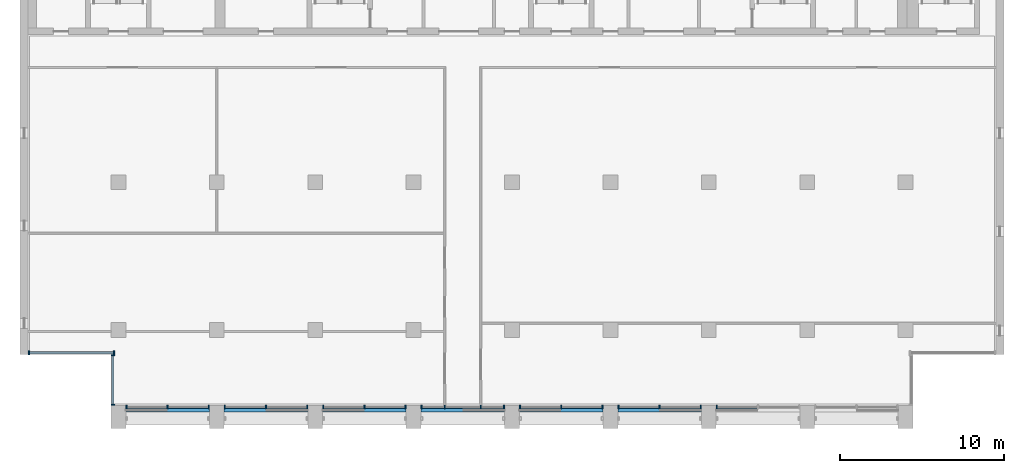
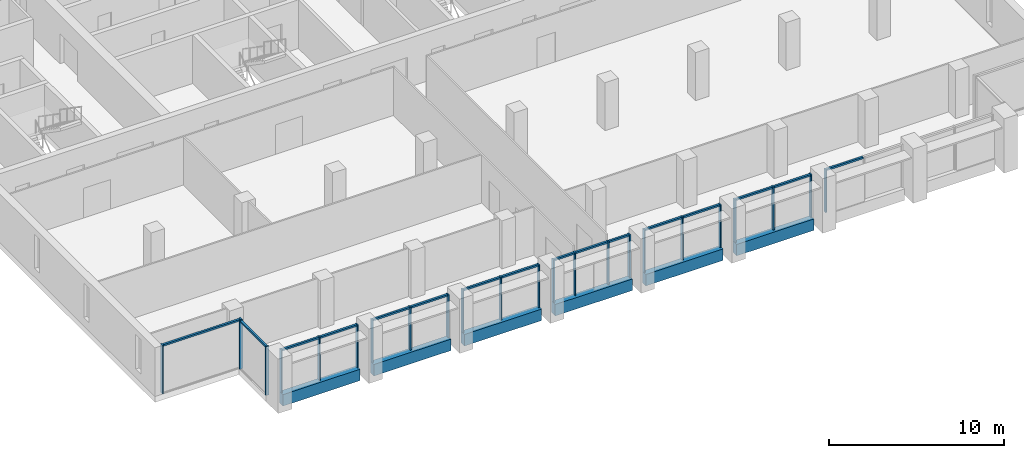
# One storey, part 2 of 14: 40 members, 6 beams, 9 elements without a shape of their own.
"""IFC4 building model written with IfcOpenShell, lengths in metres."""

from ifc_helpers import new_model, si_unit, direction, frame, origin, origin_2d, place, context, subcontext, project, spatial, rectangle, extrude, material, material_profile, profile_set, type_object, element, aggregate, save


model = new_model("IFC4")

# Units and contexts
model_context = context("Model", 3, precision=1e-05, world=origin(), true_north=direction((0.0, 1.0)))
body_context = subcontext(model_context, "Body", "Model", "MODEL_VIEW")
ifc_project = project(units=[si_unit("LENGTHUNIT", "METRE"), si_unit("AREAUNIT", "SQUARE_METRE"), si_unit("VOLUMEUNIT", "CUBIC_METRE"), si_unit("PLANEANGLEUNIT", "RADIAN"), si_unit("MASSUNIT", "GRAM", prefix="KILO")], contexts=[model_context])

# Site, building, storey
site_placement = place(None, origin())
site = spatial("IfcSite", under=ifc_project, at=site_placement, CompositionType="ELEMENT")
building_placement = place(site_placement, origin())
building = spatial("IfcBuilding", under=site, at=building_placement, Name="Calvaro Tower", CompositionType="ELEMENT")
storey_placement = place(building_placement, frame((0.0, 0.0, 239.35009765625)))
storey = spatial("IfcBuildingStorey", under=building, at=storey_placement, Name="L60", CompositionType="ELEMENT", Elevation=239.35009765625)

# Curtain wall, members
ifc_material_1 = material(Name="Anodised aluminium", Category="aluminium")
curtain_wall_type = type_object("IfcCurtainWallType", Name="Executive curtain wall", PredefinedType="NOTDEFINED", material=ifc_material_1)
curtain_wall_1_placement = place(storey_placement, origin())
curtain_wall_1 = element("IfcCurtainWall", 1, at=curtain_wall_1_placement, inside=storey, type_object=curtain_wall_type, Name="CW4 south curtain wall", PredefinedType="NOTDEFINED")
ifc_material_2 = material(Name="Anodised aluminium", Category="aluminium")
ifc_material_profile_1 = material_profile(ifc_material_2, rectangle(XDim=0.219970703125, YDim=0.080078125, at=origin_2d()), Name="Mullion S4 80 x 220")
ifc_profile_set_1 = profile_set([ifc_material_profile_1], Name="Anodised aluminium")
member_type_1 = type_object("IfcMemberType", Name="Mullion S4 80 x 220", PredefinedType="MULLION", material=ifc_profile_set_1)
member_1_placement = place(storey_placement, frame((12.489990234375, 5.2900390625, 0.0), z_axis=(0.0, 0.0, 1.0), x_axis=(0.0, 1.0, 0.0)))
member_1 = element("IfcMember", 2, at=member_1_placement, type_object=member_type_1, Name="CW4 mullion 1", PredefinedType="MULLION", context=body_context, shape_type="SweptSolid", body=[
    extrude(rectangle(XDim=0.219970703125, YDim=0.080078125, at=origin_2d()), origin(), (0.0, 0.0, 1.0), 3.0),
])
member_2_placement = place(storey_placement, frame((15.0, 5.2900390625, 0.0), z_axis=(0.0, 0.0, 1.0), x_axis=(0.0, 1.0, 0.0)))
member_2 = element("IfcMember", 3, at=member_2_placement, type_object=member_type_1, Name="CW4 mullion 2", PredefinedType="MULLION", context=body_context, shape_type="SweptSolid", body=[
    extrude(rectangle(XDim=0.219970703125, YDim=0.080078125, at=origin_2d()), origin(), (0.0, 0.0, 1.0), 3.0),
])
member_3_placement = place(storey_placement, frame((17.510009765625, 5.2900390625, 0.0), z_axis=(0.0, 0.0, 1.0), x_axis=(0.0, 1.0, 0.0)))
member_3 = element("IfcMember", 4, at=member_3_placement, type_object=member_type_1, Name="CW4 mullion 3", PredefinedType="MULLION", context=body_context, shape_type="SweptSolid", body=[
    extrude(rectangle(XDim=0.219970703125, YDim=0.080078125, at=origin_2d()), origin(), (0.0, 0.0, 1.0), 3.0),
])

curtain_wall_2_placement = place(storey_placement, origin())
curtain_wall_2 = element("IfcCurtainWall", 5, at=curtain_wall_2_placement, inside=storey, type_object=curtain_wall_type, Name="CW4 south curtain wall", PredefinedType="NOTDEFINED")
member_4_placement = place(storey_placement, frame((18.489990234375, 5.2900390625, 0.0), z_axis=(0.0, 0.0, 1.0), x_axis=(0.0, 1.0, 0.0)))
member_4 = element("IfcMember", 6, at=member_4_placement, type_object=member_type_1, Name="CW4 mullion 1", PredefinedType="MULLION", context=body_context, shape_type="SweptSolid", body=[
    extrude(rectangle(XDim=0.219970703125, YDim=0.080078125, at=origin_2d()), origin(), (0.0, 0.0, 1.0), 3.0),
])
member_5_placement = place(storey_placement, frame((21.0, 5.2900390625, 0.0), z_axis=(0.0, 0.0, 1.0), x_axis=(0.0, 1.0, 0.0)))
member_5 = element("IfcMember", 7, at=member_5_placement, type_object=member_type_1, Name="CW4 mullion 2", PredefinedType="MULLION", context=body_context, shape_type="SweptSolid", body=[
    extrude(rectangle(XDim=0.219970703125, YDim=0.080078125, at=origin_2d()), origin(), (0.0, 0.0, 1.0), 3.0),
])
member_6_placement = place(storey_placement, frame((23.510009765625, 5.2900390625, 0.0), z_axis=(0.0, 0.0, 1.0), x_axis=(0.0, 1.0, 0.0)))
member_6 = element("IfcMember", 8, at=member_6_placement, type_object=member_type_1, Name="CW4 mullion 3", PredefinedType="MULLION", context=body_context, shape_type="SweptSolid", body=[
    extrude(rectangle(XDim=0.219970703125, YDim=0.080078125, at=origin_2d()), origin(), (0.0, 0.0, 1.0), 3.0),
])

curtain_wall_3_placement = place(storey_placement, origin())
curtain_wall_3 = element("IfcCurtainWall", 9, at=curtain_wall_3_placement, inside=storey, type_object=curtain_wall_type, Name="CW4 south curtain wall", PredefinedType="NOTDEFINED")
member_7_placement = place(storey_placement, frame((24.489990234375, 5.2900390625, 0.0), z_axis=(0.0, 0.0, 1.0), x_axis=(0.0, 1.0, 0.0)))
member_7 = element("IfcMember", 10, at=member_7_placement, type_object=member_type_1, Name="CW4 mullion 1", PredefinedType="MULLION", context=body_context, shape_type="SweptSolid", body=[
    extrude(rectangle(XDim=0.219970703125, YDim=0.080078125, at=origin_2d()), origin(), (0.0, 0.0, 1.0), 3.0),
])
member_8_placement = place(storey_placement, frame((27.0, 5.2900390625, 0.0), z_axis=(0.0, 0.0, 1.0), x_axis=(0.0, 1.0, 0.0)))
member_8 = element("IfcMember", 11, at=member_8_placement, type_object=member_type_1, Name="CW4 mullion 2", PredefinedType="MULLION", context=body_context, shape_type="SweptSolid", body=[
    extrude(rectangle(XDim=0.219970703125, YDim=0.080078125, at=origin_2d()), origin(), (0.0, 0.0, 1.0), 3.0),
])
member_9_placement = place(storey_placement, frame((29.510009765625, 5.2900390625, 0.0), z_axis=(0.0, 0.0, 1.0), x_axis=(0.0, 1.0, 0.0)))
member_9 = element("IfcMember", 12, at=member_9_placement, type_object=member_type_1, Name="CW4 mullion 3", PredefinedType="MULLION", context=body_context, shape_type="SweptSolid", body=[
    extrude(rectangle(XDim=0.219970703125, YDim=0.080078125, at=origin_2d()), origin(), (0.0, 0.0, 1.0), 3.0),
])

curtain_wall_4_placement = place(storey_placement, origin())
curtain_wall_4 = element("IfcCurtainWall", 13, at=curtain_wall_4_placement, inside=storey, type_object=curtain_wall_type, Name="CW4 south curtain wall", PredefinedType="NOTDEFINED")
member_10_placement = place(storey_placement, frame((30.489990234375, 5.2900390625, 0.0), z_axis=(0.0, 0.0, 1.0), x_axis=(0.0, 1.0, 0.0)))
member_10 = element("IfcMember", 14, at=member_10_placement, type_object=member_type_1, Name="CW4 mullion 1", PredefinedType="MULLION", context=body_context, shape_type="SweptSolid", body=[
    extrude(rectangle(XDim=0.219970703125, YDim=0.080078125, at=origin_2d()), origin(), (0.0, 0.0, 1.0), 3.0),
])
member_11_placement = place(storey_placement, frame((31.89990234375, 5.2900390625, 0.0), z_axis=(0.0, 0.0, 1.0), x_axis=(0.0, 1.0, 0.0)))
member_11 = element("IfcMember", 15, at=member_11_placement, type_object=member_type_1, Name="CW4 mullion 2", PredefinedType="MULLION", context=body_context, shape_type="SweptSolid", body=[
    extrude(rectangle(XDim=0.219970703125, YDim=0.080078125, at=origin_2d()), origin(), (0.0, 0.0, 1.0), 3.0),
])
member_12_placement = place(storey_placement, frame((34.10009765625, 5.2900390625, 0.0), z_axis=(0.0, 0.0, 1.0), x_axis=(0.0, 1.0, 0.0)))
member_12 = element("IfcMember", 16, at=member_12_placement, type_object=member_type_1, Name="CW4 mullion 3", PredefinedType="MULLION", context=body_context, shape_type="SweptSolid", body=[
    extrude(rectangle(XDim=0.219970703125, YDim=0.080078125, at=origin_2d()), origin(), (0.0, 0.0, 1.0), 3.0),
])
member_13_placement = place(storey_placement, frame((35.510009765625, 5.2900390625, 0.0), z_axis=(0.0, 0.0, 1.0), x_axis=(0.0, 1.0, 0.0)))
member_13 = element("IfcMember", 17, at=member_13_placement, type_object=member_type_1, Name="CW4 mullion 4", PredefinedType="MULLION", context=body_context, shape_type="SweptSolid", body=[
    extrude(rectangle(XDim=0.219970703125, YDim=0.080078125, at=origin_2d()), origin(), (0.0, 0.0, 1.0), 3.0),
])

curtain_wall_5_placement = place(storey_placement, origin())
curtain_wall_5 = element("IfcCurtainWall", 18, at=curtain_wall_5_placement, inside=storey, type_object=curtain_wall_type, Name="CW4 south curtain wall", PredefinedType="NOTDEFINED")
member_14_placement = place(storey_placement, frame((36.489990234375, 5.2900390625, 0.0), z_axis=(0.0, 0.0, 1.0), x_axis=(0.0, 1.0, 0.0)))
member_14 = element("IfcMember", 19, at=member_14_placement, type_object=member_type_1, Name="CW4 mullion 1", PredefinedType="MULLION", context=body_context, shape_type="SweptSolid", body=[
    extrude(rectangle(XDim=0.219970703125, YDim=0.080078125, at=origin_2d()), origin(), (0.0, 0.0, 1.0), 3.0),
])
member_15_placement = place(storey_placement, frame((39.0, 5.2900390625, 0.0), z_axis=(0.0, 0.0, 1.0), x_axis=(0.0, 1.0, 0.0)))
member_15 = element("IfcMember", 20, at=member_15_placement, type_object=member_type_1, Name="CW4 mullion 2", PredefinedType="MULLION", context=body_context, shape_type="SweptSolid", body=[
    extrude(rectangle(XDim=0.219970703125, YDim=0.080078125, at=origin_2d()), origin(), (0.0, 0.0, 1.0), 3.0),
])
member_16_placement = place(storey_placement, frame((41.510009765625, 5.2900390625, 0.0), z_axis=(0.0, 0.0, 1.0), x_axis=(0.0, 1.0, 0.0)))
member_16 = element("IfcMember", 21, at=member_16_placement, type_object=member_type_1, Name="CW4 mullion 3", PredefinedType="MULLION", context=body_context, shape_type="SweptSolid", body=[
    extrude(rectangle(XDim=0.219970703125, YDim=0.080078125, at=origin_2d()), origin(), (0.0, 0.0, 1.0), 3.0),
])

curtain_wall_6_placement = place(storey_placement, origin())
curtain_wall_6 = element("IfcCurtainWall", 22, at=curtain_wall_6_placement, inside=storey, type_object=curtain_wall_type, Name="CW4 south curtain wall", PredefinedType="NOTDEFINED")
member_17_placement = place(storey_placement, frame((42.489990234375, 5.2900390625, 0.0), z_axis=(0.0, 0.0, 1.0), x_axis=(0.0, 1.0, 0.0)))
member_17 = element("IfcMember", 23, at=member_17_placement, type_object=member_type_1, Name="CW4 mullion 1", PredefinedType="MULLION", context=body_context, shape_type="SweptSolid", body=[
    extrude(rectangle(XDim=0.219970703125, YDim=0.080078125, at=origin_2d()), origin(), (0.0, 0.0, 1.0), 3.0),
])
member_18_placement = place(storey_placement, frame((45.0, 5.2900390625, 0.0), z_axis=(0.0, 0.0, 1.0), x_axis=(0.0, 1.0, 0.0)))
member_18 = element("IfcMember", 24, at=member_18_placement, type_object=member_type_1, Name="CW4 mullion 2", PredefinedType="MULLION", context=body_context, shape_type="SweptSolid", body=[
    extrude(rectangle(XDim=0.219970703125, YDim=0.080078125, at=origin_2d()), origin(), (0.0, 0.0, 1.0), 3.0),
])
member_19_placement = place(storey_placement, frame((47.510009765625, 5.2900390625, 0.0), z_axis=(0.0, 0.0, 1.0), x_axis=(0.0, 1.0, 0.0)))
member_19 = element("IfcMember", 25, at=member_19_placement, type_object=member_type_1, Name="CW4 mullion 3", PredefinedType="MULLION", context=body_context, shape_type="SweptSolid", body=[
    extrude(rectangle(XDim=0.219970703125, YDim=0.080078125, at=origin_2d()), origin(), (0.0, 0.0, 1.0), 3.0),
])

# Curtain wall, member
curtain_wall_7_placement = place(storey_placement, origin())
curtain_wall_7 = element("IfcCurtainWall", 26, at=curtain_wall_7_placement, inside=storey, type_object=curtain_wall_type, Name="CW4 south curtain wall", PredefinedType="NOTDEFINED")
member_20_placement = place(storey_placement, frame((48.489990234375, 5.2900390625, 0.0), z_axis=(0.0, 0.0, 1.0), x_axis=(0.0, 1.0, 0.0)))
member_20 = element("IfcMember", 27, at=member_20_placement, type_object=member_type_1, Name="CW4 mullion 1", PredefinedType="MULLION", context=body_context, shape_type="SweptSolid", body=[
    extrude(rectangle(XDim=0.219970703125, YDim=0.080078125, at=origin_2d()), origin(), (0.0, 0.0, 1.0), 3.0),
])

# Curtain wall, members
curtain_wall_8_placement = place(storey_placement, origin())
curtain_wall_8 = element("IfcCurtainWall", 28, at=curtain_wall_8_placement, inside=storey, type_object=curtain_wall_type, Name="CW4 corner curtain wall", PredefinedType="NOTDEFINED")
member_21_placement = place(storey_placement, frame((11.659912109375, 5.43994140625, 0.0), z_axis=(0.0, 0.0, 1.0), x_axis=(-1.0, 0.0, 0.0)))
member_21 = element("IfcMember", 29, at=member_21_placement, type_object=member_type_1, Name="CW4 mullion 1", PredefinedType="MULLION", context=body_context, shape_type="SweptSolid", body=[
    extrude(rectangle(XDim=0.219970703125, YDim=0.080078125, at=origin_2d()), origin(), (0.0, 0.0, 1.0), 3.39990234375),
])
member_22_placement = place(storey_placement, frame((11.659912109375, 8.4599609375, 0.0), z_axis=(0.0, 0.0, 1.0), x_axis=(-1.0, 0.0, 0.0)))
member_22 = element("IfcMember", 30, at=member_22_placement, type_object=member_type_1, Name="CW4 mullion 2", PredefinedType="MULLION", context=body_context, shape_type="SweptSolid", body=[
    extrude(rectangle(XDim=0.219970703125, YDim=0.080078125, at=origin_2d()), origin(), (0.0, 0.0, 1.0), 3.39990234375),
])

curtain_wall_9_placement = place(storey_placement, origin())
curtain_wall_9 = element("IfcCurtainWall", 31, at=curtain_wall_9_placement, inside=storey, type_object=curtain_wall_type, Name="CW4 corner curtain wall", PredefinedType="NOTDEFINED")
member_23_placement = place(storey_placement, frame((6.5400390625, 8.610107421875, 0.0), z_axis=(0.0, 0.0, 1.0), x_axis=(0.0, 1.0, 0.0)))
member_23 = element("IfcMember", 32, at=member_23_placement, type_object=member_type_1, Name="CW4 mullion 1", PredefinedType="MULLION", context=body_context, shape_type="SweptSolid", body=[
    extrude(rectangle(XDim=0.219970703125, YDim=0.080078125, at=origin_2d()), origin(), (0.0, 0.0, 1.0), 3.39990234375),
])
member_24_placement = place(storey_placement, frame((11.72998046875, 8.610107421875, 0.0), z_axis=(0.0, 0.0, 1.0), x_axis=(0.0, 1.0, 0.0)))
member_24 = element("IfcMember", 33, at=member_24_placement, type_object=member_type_1, Name="CW4 mullion 2", PredefinedType="MULLION", context=body_context, shape_type="SweptSolid", body=[
    extrude(rectangle(XDim=0.219970703125, YDim=0.080078125, at=origin_2d()), origin(), (0.0, 0.0, 1.0), 3.39990234375),
])

# Beams
ifc_material_3 = material(Name="Concrete C50/60 precast", Category="concrete")
ifc_material_profile_2 = material_profile(ifc_material_3, rectangle(XDim=0.39990234375, YDim=0.800048828125, at=origin_2d()), Name="RC 400x800")
ifc_profile_set_2 = profile_set([ifc_material_profile_2], Name="Concrete C50/60 precast")
beam_type = type_object("IfcBeamType", Name="Spandrel beam 400x800 C50/60", PredefinedType="SPANDREL", material=ifc_profile_set_2)
for number, where, z_axis, x_axis, name in (
    (34, (12.449951171875, 5.199951171875, -0.400146484375), (1.0, 0.0, 0.0), (0.0, 1.0, 0.0), "Spandrel beam"),
    (35, (18.449951171875, 5.199951171875, -0.400146484375), (1.0, 0.0, 0.0), (0.0, 1.0, 0.0), "Spandrel beam"),
    (36, (24.449951171875, 5.199951171875, -0.400146484375), (1.0, 0.0, 0.0), (0.0, 1.0, 0.0), "Spandrel beam"),
    (37, (30.449951171875, 5.199951171875, -0.400146484375), (1.0, 0.0, 0.0), (0.0, 1.0, 0.0), "Spandrel beam"),
    (38, (36.449951171875, 5.199951171875, -0.400146484375), (1.0, 0.0, 0.0), (0.0, 1.0, 0.0), "Spandrel beam"),
    (39, (42.449951171875, 5.199951171875, -0.400146484375), (1.0, 0.0, 0.0), (0.0, 1.0, 0.0), "Spandrel beam"),
):
    element("IfcBeam", number, at=place(storey_placement, frame(where, z_axis=z_axis, x_axis=x_axis)), inside=storey, type_object=beam_type, Name=name, PredefinedType="SPANDREL", context=body_context, shape_type="SweptSolid", body=[
        extrude(rectangle(XDim=0.39990234375, YDim=0.800048828125, at=origin_2d()), origin(), (0.0, 0.0, 1.0), 5.10009765625),
    ])

# Member
ifc_material_4 = material(Name="Anodised aluminium", Category="aluminium")
ifc_material_profile_3 = material_profile(ifc_material_4, rectangle(XDim=0.139892578125, YDim=0.1201171875, at=origin_2d()), Name="Transom S4 120 x 140")
ifc_profile_set_3 = profile_set([ifc_material_profile_3], Name="Anodised aluminium")
member_type_2 = type_object("IfcMemberType", Name="Transom S4 120 x 140", PredefinedType="USERDEFINED", material=ifc_profile_set_3)
member_25_placement = place(storey_placement, frame((12.530029296875, 5.2900390625, 2.93994140625), z_axis=(1.0, 0.0, 0.0), x_axis=(0.0, 1.0, 0.0)))
member_25 = element("IfcMember", 40, at=member_25_placement, type_object=member_type_2, Name="CW4 transom 1.1", ObjectType="TRANSOM", PredefinedType="USERDEFINED", context=body_context, shape_type="SweptSolid", body=[
    extrude(rectangle(XDim=0.139892578125, YDim=0.1201171875, at=origin_2d()), origin(), (0.0, 0.0, 1.0), 2.429931640625),
])

member_26_placement = place(storey_placement, frame((15.0400390625, 5.2900390625, 2.93994140625), z_axis=(1.0, 0.0, 0.0), x_axis=(0.0, 1.0, 0.0)))
member_26 = element("IfcMember", 41, at=member_26_placement, type_object=member_type_2, Name="CW4 transom 2.1", ObjectType="TRANSOM", PredefinedType="USERDEFINED", context=body_context, shape_type="SweptSolid", body=[
    extrude(rectangle(XDim=0.139892578125, YDim=0.1201171875, at=origin_2d()), origin(), (0.0, 0.0, 1.0), 2.429931640625),
])

aggregate(curtain_wall_1, [member_1, member_2, member_3, member_25, member_26])

member_27_placement = place(storey_placement, frame((18.530029296875, 5.2900390625, 2.93994140625), z_axis=(1.0, 0.0, 0.0), x_axis=(0.0, 1.0, 0.0)))
member_27 = element("IfcMember", 42, at=member_27_placement, type_object=member_type_2, Name="CW4 transom 1.1", ObjectType="TRANSOM", PredefinedType="USERDEFINED", context=body_context, shape_type="SweptSolid", body=[
    extrude(rectangle(XDim=0.139892578125, YDim=0.1201171875, at=origin_2d()), origin(), (0.0, 0.0, 1.0), 2.429931640625),
])

member_28_placement = place(storey_placement, frame((21.0400390625, 5.2900390625, 2.93994140625), z_axis=(1.0, 0.0, 0.0), x_axis=(0.0, 1.0, 0.0)))
member_28 = element("IfcMember", 43, at=member_28_placement, type_object=member_type_2, Name="CW4 transom 2.1", ObjectType="TRANSOM", PredefinedType="USERDEFINED", context=body_context, shape_type="SweptSolid", body=[
    extrude(rectangle(XDim=0.139892578125, YDim=0.1201171875, at=origin_2d()), origin(), (0.0, 0.0, 1.0), 2.429931640625),
])

aggregate(curtain_wall_2, [member_4, member_5, member_6, member_27, member_28])

member_29_placement = place(storey_placement, frame((24.530029296875, 5.2900390625, 2.93994140625), z_axis=(1.0, 0.0, 0.0), x_axis=(0.0, 1.0, 0.0)))
member_29 = element("IfcMember", 44, at=member_29_placement, type_object=member_type_2, Name="CW4 transom 1.1", ObjectType="TRANSOM", PredefinedType="USERDEFINED", context=body_context, shape_type="SweptSolid", body=[
    extrude(rectangle(XDim=0.139892578125, YDim=0.1201171875, at=origin_2d()), origin(), (0.0, 0.0, 1.0), 2.429931640625),
])

member_30_placement = place(storey_placement, frame((27.0400390625, 5.2900390625, 2.93994140625), z_axis=(1.0, 0.0, 0.0), x_axis=(0.0, 1.0, 0.0)))
member_30 = element("IfcMember", 45, at=member_30_placement, type_object=member_type_2, Name="CW4 transom 2.1", ObjectType="TRANSOM", PredefinedType="USERDEFINED", context=body_context, shape_type="SweptSolid", body=[
    extrude(rectangle(XDim=0.139892578125, YDim=0.1201171875, at=origin_2d()), origin(), (0.0, 0.0, 1.0), 2.429931640625),
])

aggregate(curtain_wall_3, [member_7, member_8, member_9, member_29, member_30])

member_31_placement = place(storey_placement, frame((30.530029296875, 5.2900390625, 2.93994140625), z_axis=(1.0, 0.0, 0.0), x_axis=(0.0, 1.0, 0.0)))
member_31 = element("IfcMember", 46, at=member_31_placement, type_object=member_type_2, Name="CW4 transom 1.1", ObjectType="TRANSOM", PredefinedType="USERDEFINED", context=body_context, shape_type="SweptSolid", body=[
    extrude(rectangle(XDim=0.139892578125, YDim=0.1201171875, at=origin_2d()), origin(), (0.0, 0.0, 1.0), 1.330078125),
])

member_32_placement = place(storey_placement, frame((31.93994140625, 5.2900390625, 2.93994140625), z_axis=(1.0, 0.0, 0.0), x_axis=(0.0, 1.0, 0.0)))
member_32 = element("IfcMember", 47, at=member_32_placement, type_object=member_type_2, Name="CW4 transom 2.1", ObjectType="TRANSOM", PredefinedType="USERDEFINED", context=body_context, shape_type="SweptSolid", body=[
    extrude(rectangle(XDim=0.139892578125, YDim=0.1201171875, at=origin_2d()), origin(), (0.0, 0.0, 1.0), 2.1201171875),
])

member_33_placement = place(storey_placement, frame((34.139892578125, 5.2900390625, 2.93994140625), z_axis=(1.0, 0.0, 0.0), x_axis=(0.0, 1.0, 0.0)))
member_33 = element("IfcMember", 48, at=member_33_placement, type_object=member_type_2, Name="CW4 transom 3.1", ObjectType="TRANSOM", PredefinedType="USERDEFINED", context=body_context, shape_type="SweptSolid", body=[
    extrude(rectangle(XDim=0.139892578125, YDim=0.1201171875, at=origin_2d()), origin(), (0.0, 0.0, 1.0), 1.330078125),
])

aggregate(curtain_wall_4, [member_10, member_11, member_12, member_13, member_31, member_32, member_33])

member_34_placement = place(storey_placement, frame((36.530029296875, 5.2900390625, 2.93994140625), z_axis=(1.0, 0.0, 0.0), x_axis=(0.0, 1.0, 0.0)))
member_34 = element("IfcMember", 49, at=member_34_placement, type_object=member_type_2, Name="CW4 transom 1.1", ObjectType="TRANSOM", PredefinedType="USERDEFINED", context=body_context, shape_type="SweptSolid", body=[
    extrude(rectangle(XDim=0.139892578125, YDim=0.1201171875, at=origin_2d()), origin(), (0.0, 0.0, 1.0), 2.429931640625),
])

member_35_placement = place(storey_placement, frame((39.0400390625, 5.2900390625, 2.93994140625), z_axis=(1.0, 0.0, 0.0), x_axis=(0.0, 1.0, 0.0)))
member_35 = element("IfcMember", 50, at=member_35_placement, type_object=member_type_2, Name="CW4 transom 2.1", ObjectType="TRANSOM", PredefinedType="USERDEFINED", context=body_context, shape_type="SweptSolid", body=[
    extrude(rectangle(XDim=0.139892578125, YDim=0.1201171875, at=origin_2d()), origin(), (0.0, 0.0, 1.0), 2.429931640625),
])

aggregate(curtain_wall_5, [member_14, member_15, member_16, member_34, member_35])

member_36_placement = place(storey_placement, frame((42.530029296875, 5.2900390625, 2.93994140625), z_axis=(1.0, 0.0, 0.0), x_axis=(0.0, 1.0, 0.0)))
member_36 = element("IfcMember", 51, at=member_36_placement, type_object=member_type_2, Name="CW4 transom 1.1", ObjectType="TRANSOM", PredefinedType="USERDEFINED", context=body_context, shape_type="SweptSolid", body=[
    extrude(rectangle(XDim=0.139892578125, YDim=0.1201171875, at=origin_2d()), origin(), (0.0, 0.0, 1.0), 2.429931640625),
])

member_37_placement = place(storey_placement, frame((45.0400390625, 5.2900390625, 2.93994140625), z_axis=(1.0, 0.0, 0.0), x_axis=(0.0, 1.0, 0.0)))
member_37 = element("IfcMember", 52, at=member_37_placement, type_object=member_type_2, Name="CW4 transom 2.1", ObjectType="TRANSOM", PredefinedType="USERDEFINED", context=body_context, shape_type="SweptSolid", body=[
    extrude(rectangle(XDim=0.139892578125, YDim=0.1201171875, at=origin_2d()), origin(), (0.0, 0.0, 1.0), 2.429931640625),
])

aggregate(curtain_wall_6, [member_17, member_18, member_19, member_36, member_37])

member_38_placement = place(storey_placement, frame((48.530029296875, 5.2900390625, 2.93994140625), z_axis=(1.0, 0.0, 0.0), x_axis=(0.0, 1.0, 0.0)))
member_38 = element("IfcMember", 53, at=member_38_placement, type_object=member_type_2, Name="CW4 transom 1.1", ObjectType="TRANSOM", PredefinedType="USERDEFINED", context=body_context, shape_type="SweptSolid", body=[
    extrude(rectangle(XDim=0.139892578125, YDim=0.1201171875, at=origin_2d()), origin(), (0.0, 0.0, 1.0), 2.429931640625),
])

aggregate(curtain_wall_7, [member_20, member_38])

member_39_placement = place(storey_placement, frame((11.659912109375, 5.47998046875, 3.33984375), z_axis=(0.0, 1.0, 0.0), x_axis=(-1.0, 0.0, 0.0)))
member_39 = element("IfcMember", 54, at=member_39_placement, type_object=member_type_2, Name="CW4 transom 1.1", ObjectType="TRANSOM", PredefinedType="USERDEFINED", context=body_context, shape_type="SweptSolid", body=[
    extrude(rectangle(XDim=0.139892578125, YDim=0.1201171875, at=origin_2d()), origin(), (0.0, 0.0, 1.0), 2.93994140625),
])

aggregate(curtain_wall_8, [member_21, member_22, member_39])

member_40_placement = place(storey_placement, frame((6.580078125, 8.610107421875, 3.33984375), z_axis=(1.0, 0.0, 0.0), x_axis=(0.0, 1.0, 0.0)))
member_40 = element("IfcMember", 55, at=member_40_placement, type_object=member_type_2, Name="CW4 transom 1.1", ObjectType="TRANSOM", PredefinedType="USERDEFINED", context=body_context, shape_type="SweptSolid", body=[
    extrude(rectangle(XDim=0.139892578125, YDim=0.1201171875, at=origin_2d()), origin(), (0.0, 0.0, 1.0), 5.10986328125),
])

aggregate(curtain_wall_9, [member_23, member_24, member_40])

save(model, "model.ifc")
